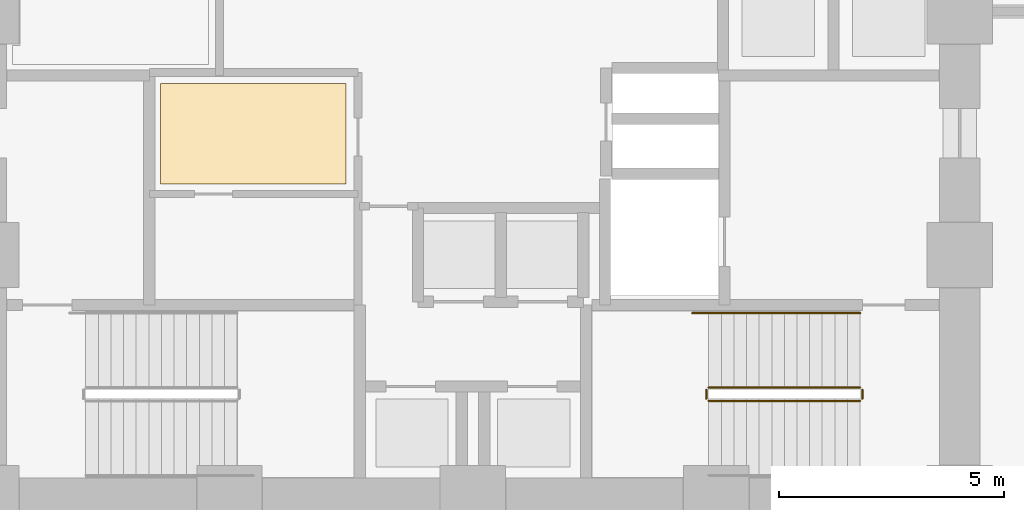
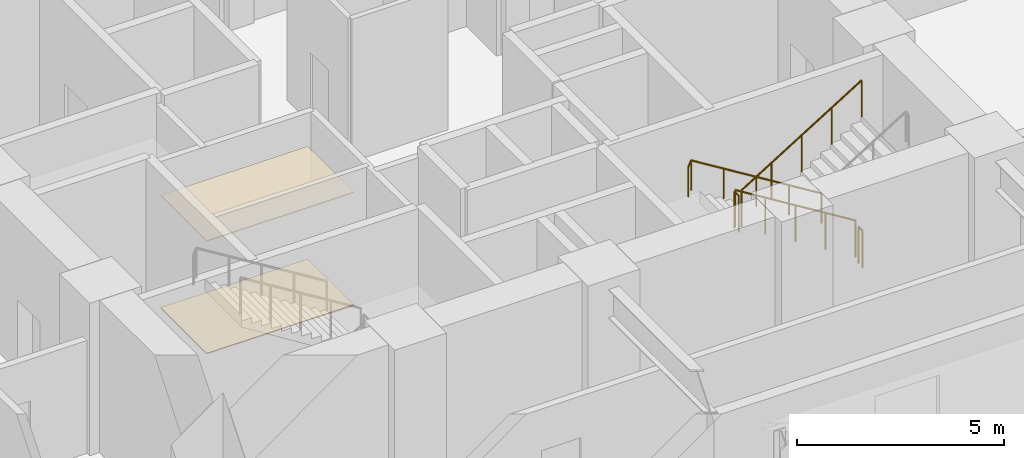
# One storey, part 25 of 29: 5 railings, 2 coverings.
"""IFC4 building model written with IfcOpenShell, lengths in metres."""

import ifcopenshell
import ifcopenshell.guid

model = None  # the IFC model being written
_history = None  # IfcOwnerHistory: only IFC2X3 demands one
_inside = {}  # id of a spatial element -> (the spatial element, [elements in it])
_under = {}  # id of a project, library or spatial element -> (it, [spatial elements below it])
_declared = {}  # id of a project -> (the project, [libraries it declares])
_typed = {}  # id of a type object -> (the type object, [elements of that type])
_made_of = {}  # id of a material, layer set ... -> (it, [elements and type objects made of it])


def new_model(schema):
    """Start an empty IFC model of exactly this schema.

    Asked for "IFC4X3", IfcOpenShell would pick the latest addendum, in which some entities
    have other attributes; the version numbers below select the first issue.
    IFC2X3 requires an IfcOwnerHistory on every rooted entity: one is made here for all.
    """
    global model, _history
    if schema == "IFC4X3":
        model = ifcopenshell.file(schema_version=(4, 3, 0, 0))
    else:
        model = ifcopenshell.file(schema=schema)
    _inside.clear()
    _under.clear()
    _declared.clear()
    _typed.clear()
    _made_of.clear()
    _history = None
    if model.schema == "IFC2X3":
        org = make("IfcOrganization", Name="unknown")
        user = make(
            "IfcPersonAndOrganization",
            ThePerson=make("IfcPerson", FamilyName="unknown"),
            TheOrganization=org,
        )
        app = make(
            "IfcApplication",
            ApplicationDeveloper=org,
            Version="unknown",
            ApplicationFullName="unknown",
            ApplicationIdentifier="unknown",
        )
        _history = make(
            "IfcOwnerHistory",
            OwningUser=user,
            OwningApplication=app,
            ChangeAction="ADDED",
            CreationDate=0,
        )
    return model


def make(cls, **values):
    """One entity of the class cls with the attributes given. An attribute that is None is left unset."""
    return model.create_entity(
        cls, **{name: value for name, value in values.items() if value is not None}
    )


def rooted(cls, **values):
    """An entity with a GlobalId (a new one), such as an element, a storey or a relation."""
    return make(cls, GlobalId=ifcopenshell.guid.new(), OwnerHistory=_history, **values)


def si_unit(unit_type, name, prefix=None):
    """IfcSIUnit, for example si_unit("LENGTHUNIT", "METRE", prefix="MILLI")."""
    return make("IfcSIUnit", UnitType=unit_type, Prefix=prefix, Name=name)


def assignment(units):
    """IfcUnitAssignment: the units of a project."""
    return None if units is None else make("IfcUnitAssignment", Units=units)


def point(xyz):
    """IfcCartesianPoint."""
    return None if xyz is None else make("IfcCartesianPoint", Coordinates=xyz)


def direction(xyz):
    """IfcDirection."""
    return None if xyz is None else make("IfcDirection", DirectionRatios=xyz)


def frame(location, z_axis=None, x_axis=None):
    """IfcAxis2Placement3D, a coordinate frame: its origin and axes. An axis left out is left unset."""
    return make(
        "IfcAxis2Placement3D",
        Location=point(location),
        Axis=direction(z_axis),
        RefDirection=direction(x_axis),
    )


def frame_2d(location, x_axis=None):
    """IfcAxis2Placement2D, a coordinate frame in the plane: its origin and x axis."""
    return make(
        "IfcAxis2Placement2D", Location=point(location), RefDirection=direction(x_axis)
    )


def origin():
    """The frame at (0, 0, 0) with its axes left unset."""
    return frame((0.0, 0.0, 0.0))


def origin_2d():
    """The frame at (0, 0) in the plane with its x axis left unset."""
    return frame_2d((0.0, 0.0))


def place(relative_to, where):
    """IfcLocalPlacement: puts the frame where relative to a parent placement (None: the world)."""
    return make(
        "IfcLocalPlacement", PlacementRelTo=relative_to, RelativePlacement=where
    )


def context(
    kind, dimensions, precision=None, world=None, true_north=None, identifier=None
):
    """IfcGeometricRepresentationContext, for example the 3D "Model" context."""
    return make(
        "IfcGeometricRepresentationContext",
        ContextIdentifier=identifier,
        ContextType=kind,
        CoordinateSpaceDimension=dimensions,
        Precision=precision,
        WorldCoordinateSystem=world,
        TrueNorth=true_north,
    )


def subcontext(parent, identifier, kind, view, scale=None):
    """IfcGeometricRepresentationSubContext, for example "Body" below "Model"."""
    return make(
        "IfcGeometricRepresentationSubContext",
        ContextIdentifier=identifier,
        ContextType=kind,
        ParentContext=parent,
        TargetScale=scale,
        TargetView=view,
    )


def project(units=None, contexts=None):
    """IfcProject with its units and contexts."""
    return rooted(
        "IfcProject",
        Name="project",
        RepresentationContexts=contexts,
        UnitsInContext=assignment(units),
    )


def spatial(cls, under=None, at=None, **own):
    """A site, building, storey or space (cls), placed at a placement, below another one or the project."""
    s = rooted(cls, ObjectPlacement=at, **own)
    if under is not None:
        _under.setdefault(under.id(), (under, []))[1].append(s)
    return s


def polyline(points):
    """IfcPolyline through the points."""
    return make("IfcPolyline", Points=[point(p) for p in points])


def profile(cls, at=None, kind="AREA", **sizes):
    """A parametric profile (cls). Its sizes go by their IFC names, for example OverallWidth=200.0."""
    return make(cls, ProfileType=kind, Position=at, **sizes)


def circle(**sizes):
    """IfcCircleProfileDef."""
    return profile("IfcCircleProfileDef", **sizes)


def outline(outer, holes=None, kind="AREA"):
    """IfcArbitraryClosedProfileDef: a profile drawn as a closed curve; with holes, ...WithVoids."""
    if holes is None:
        return make("IfcArbitraryClosedProfileDef", ProfileType=kind, OuterCurve=outer)
    return make(
        "IfcArbitraryProfileDefWithVoids",
        ProfileType=kind,
        OuterCurve=outer,
        InnerCurves=holes,
    )


def extrude(swept, where, along, depth):
    """IfcExtrudedAreaSolid: the profile swept, set in the frame where, extruded along a direction by depth."""
    return make(
        "IfcExtrudedAreaSolid",
        SweptArea=swept,
        Position=where,
        ExtrudedDirection=direction(along),
        Depth=depth,
    )


def shape(context_of_items, identifier, shape_type, items):
    """IfcShapeRepresentation: the items that make up one representation, for example the "Body"."""
    return make(
        "IfcShapeRepresentation",
        ContextOfItems=context_of_items,
        RepresentationIdentifier=identifier,
        RepresentationType=shape_type,
        Items=items,
    )


def material(Name=None, Category=None):
    """IfcMaterial."""
    return make("IfcMaterial", Name=Name, Category=Category)


def layer(
    of_material, thickness, ventilated=None, Name=None, Category=None, Priority=None
):
    """IfcMaterialLayer: one layer of a wall or slab, of a material (None: an air gap)."""
    return make(
        "IfcMaterialLayer",
        Material=of_material,
        LayerThickness=thickness,
        IsVentilated=ventilated,
        Name=Name,
        Category=Category,
        Priority=Priority,
    )


def layer_set(layers, Name=None):
    """IfcMaterialLayerSet."""
    return make("IfcMaterialLayerSet", MaterialLayers=layers, LayerSetName=Name)


def made_of(thing, what):
    """Note that an element or type object is made of a material, layer set ...; save() writes the relation."""
    if what is not None:
        _made_of.setdefault(what.id(), (what, []))[1].append(thing)
    return thing


def type_object(cls, material=None, **own):
    """A type object (cls), such as IfcWallType, which elements share."""
    return made_of(rooted(cls, **own), material)


def element(
    cls,
    number,
    at=None,
    inside=None,
    cuts=None,
    type_object=None,
    material=None,
    context=None,
    identifier="Body",
    shape_type=None,
    held_by="IfcProductDefinitionShape",
    body=None,
    shapes=None,
    **own,
):
    """One element of the class cls, such as IfcWall. Its Tag is "e" and its number.

    at: its placement. inside: the storey or other place that contains it. cuts: it is an
    opening in that element (IfcRelVoidsElement). A single representation is given by context,
    identifier, shape_type and body (its items); several are given by shapes. held_by: the class
    of the entity that holds the representations. save() writes the other relations.
    """
    e = rooted(cls, Tag="e%d" % number, ObjectPlacement=at, **own)
    if body is not None:
        shapes = [shape(context, identifier, shape_type, body)]
    if shapes is not None:
        e.Representation = make(held_by, Representations=shapes)
    if inside is not None:
        _inside.setdefault(inside.id(), (inside, []))[1].append(e)
    if cuts is not None:
        rooted(
            "IfcRelVoidsElement", RelatingBuildingElement=cuts, RelatedOpeningElement=e
        )
    if type_object is not None:
        _typed.setdefault(type_object.id(), (type_object, []))[1].append(e)
    return made_of(e, material)


def aggregate(whole, parts):
    """IfcRelAggregates: a whole, such as a stair, and the parts it consists of."""
    return rooted("IfcRelAggregates", RelatingObject=whole, RelatedObjects=parts)


def save(model, path):
    """Write the relations noted so far, then the file.

    IfcRelAggregates (storeys below a building ...), IfcRelContainedInSpatialStructure (elements
    in a storey), IfcRelDefinesByType, IfcRelAssociatesMaterial and IfcRelDeclares: one each for
    every whole, place, type object, material and project.
    """
    for whole, parts in _under.values():
        aggregate(whole, parts)
    for where, things in _inside.values():
        rooted(
            "IfcRelContainedInSpatialStructure",
            RelatedElements=things,
            RelatingStructure=where,
        )
    for kind, things in _typed.values():
        rooted("IfcRelDefinesByType", RelatedObjects=things, RelatingType=kind)
    for what, things in _made_of.values():
        rooted("IfcRelAssociatesMaterial", RelatedObjects=things, RelatingMaterial=what)
    for by, libraries in _declared.values():
        rooted("IfcRelDeclares", RelatingContext=by, RelatedDefinitions=libraries)
    model.write(path)


model = new_model("IFC4")

# Units and contexts
model_context = context("Model", 3, precision=1e-05, world=origin(), true_north=direction((0.0, 1.0)))
body_context = subcontext(model_context, "Body", "Model", "MODEL_VIEW")
ifc_project = project(units=[si_unit("LENGTHUNIT", "METRE"), si_unit("AREAUNIT", "SQUARE_METRE"), si_unit("VOLUMEUNIT", "CUBIC_METRE"), si_unit("PLANEANGLEUNIT", "RADIAN"), si_unit("MASSUNIT", "GRAM", prefix="KILO")], contexts=[model_context])

# Site, building, storey
site_placement = place(None, origin())
site = spatial("IfcSite", under=ifc_project, at=site_placement, CompositionType="ELEMENT")
building_placement = place(site_placement, origin())
building = spatial("IfcBuilding", under=site, at=building_placement, Name="Surkhivell Harbour Commons", CompositionType="ELEMENT")
storey_placement = place(building_placement, origin())
storey = spatial("IfcBuildingStorey", under=building, at=storey_placement, Name="L00", CompositionType="ELEMENT", Elevation=0.0)

# Coverings
ifc_material_1 = material(Name="Moisture-resistant gypsum acoustic ceiling board", Category="other")
ifc_layer_1 = layer(ifc_material_1, 0.030029296875)
ifc_layer_set_1 = layer_set([ifc_layer_1], Name="Moisture-resistant gypsum acoustic ceiling board")
covering_type_1 = type_object("IfcCoveringType", Name="COV-CEIL-GYP", PredefinedType="CEILING", material=ifc_layer_set_1)
covering_1_placement = place(storey_placement, frame((0.0, 0.0, 3.319091796875)))
element("IfcCovering", 1, at=covering_1_placement, inside=storey, type_object=covering_type_1, Name="L00 Suspended Acoustic Ceiling 2", PredefinedType="CEILING", context=body_context, shape_type="SweptSolid", body=[
    extrude(outline(polyline([(-6.929931640625, -3.830078125), (-2.820068359375, -3.830078125), (-2.820068359375, -1.60009765625), (-6.929931640625, -1.60009765625), (-6.929931640625, -3.830078125)])), origin(), (0.0, 0.0, 1.0), 0.030029296875),
])
ifc_material_2 = material(Name="Honed terrazzo and porcelain floor finish", Category="masonry")
ifc_layer_2 = layer(ifc_material_2, 0.02490234375)
ifc_layer_set_2 = layer_set([ifc_layer_2], Name="Honed terrazzo and porcelain floor finish")
covering_type_2 = type_object("IfcCoveringType", Name="COV-FLR-TER", PredefinedType="FLOORING", material=ifc_layer_set_2)
covering_2_placement = place(storey_placement, origin())
element("IfcCovering", 2, at=covering_2_placement, inside=storey, type_object=covering_type_2, Name="L00 Interior Floor Finish 2", PredefinedType="FLOORING", context=body_context, shape_type="SweptSolid", body=[
    extrude(outline(polyline([(-6.929931640625, -3.830078125), (-2.820068359375, -3.830078125), (-2.820068359375, -1.60009765625), (-6.929931640625, -1.60009765625), (-6.929931640625, -3.830078125)])), origin(), (0.0, 0.0, 1.0), 0.02490234375),
])

# Railings
ifc_material_3 = material(Name="Galvanised and painted steel S355 guard rail", Category="steel")
railing_type_1 = type_object("IfcRailingType", Name="RAL-ST-GRD1100", PredefinedType="GUARDRAIL", material=ifc_material_3)
railing_1_placement = place(storey_placement, frame((8.590087890625, -8.340087890625, 0.173095703125)))
element("IfcRailing", 3, at=railing_1_placement, inside=storey, type_object=railing_type_1, Name="L00 ST2 stair guard 1", PredefinedType="GUARDRAIL", context=body_context, shape_type="SweptSolid", body=[
    extrude(circle(Radius=0.02392578125, at=origin_2d()), frame((0.0, 0.0, 1.076171875), z_axis=(-0.850623216509, 0.0, 0.525775754039), x_axis=(0.0, -1.0, 0.0)), (0.0, 0.0, 1.0), 3.9501953125),
    extrude(circle(Radius=0.02099609375, at=origin_2d()), origin(), (0.0, 0.0, 1.0), 1.052001953125),
    extrude(circle(Radius=0.02099609375, at=origin_2d()), frame((-0.840087890625, 0.0, 0.519287109375)), (0.0, 0.0, 1.0), 1.052001953125),
    extrude(circle(Radius=0.02099609375, at=origin_2d()), frame((-1.68017578125, 0.0, 1.03857421875)), (0.0, 0.0, 1.0), 1.052001953125),
    extrude(circle(Radius=0.02099609375, at=origin_2d()), frame((-2.52001953125, 0.0, 1.5576171875)), (0.0, 0.0, 1.0), 1.052001953125),
    extrude(circle(Radius=0.02099609375, at=origin_2d()), frame((-3.360107421875, 0.0, 2.076904296875)), (0.0, 0.0, 1.0), 1.052001953125),
])
railing_2_placement = place(storey_placement, frame((5.179931640625, -8.389892578125, 2.25)))
element("IfcRailing", 4, at=railing_2_placement, inside=storey, type_object=railing_type_1, Name="L00 ST2 stair guard 2", PredefinedType="GUARDRAIL", context=body_context, shape_type="SweptSolid", body=[
    extrude(circle(Radius=0.02392578125, at=origin_2d()), frame((0.0, 0.0, 1.076171875), z_axis=(0.0, -1.0, 0.0), x_axis=(1.0, 0.0, 0.0)), (0.0, 0.0, 1.0), 0.2001953125),
    extrude(circle(Radius=0.02099609375, at=origin_2d()), origin(), (0.0, 0.0, 1.0), 1.052001953125),
    extrude(circle(Radius=0.02099609375, at=origin_2d()), frame((0.0, -0.2001953125, 0.0)), (0.0, 0.0, 1.0), 1.052001953125),
])
railing_3_placement = place(storey_placement, frame((5.22998046875, -8.639892578125, 2.423095703125)))
element("IfcRailing", 5, at=railing_3_placement, inside=storey, type_object=railing_type_1, Name="L00 ST2 stair guard 3", PredefinedType="GUARDRAIL", context=body_context, shape_type="SweptSolid", body=[
    extrude(circle(Radius=0.02392578125, at=origin_2d()), frame((0.0, 0.0, 1.076171875), z_axis=(0.850623216509, 0.0, 0.525775754039), x_axis=(0.0, 1.0, 0.0)), (0.0, 0.0, 1.0), 3.9501953125),
    extrude(circle(Radius=0.02099609375, at=origin_2d()), origin(), (0.0, 0.0, 1.0), 1.052001953125),
    extrude(circle(Radius=0.02099609375, at=origin_2d()), frame((0.840087890625, 0.0, 0.519287109375)), (0.0, 0.0, 1.0), 1.052001953125),
    extrude(circle(Radius=0.02099609375, at=origin_2d()), frame((1.68017578125, 0.0, 1.03857421875)), (0.0, 0.0, 1.0), 1.052001953125),
    extrude(circle(Radius=0.02099609375, at=origin_2d()), frame((2.52001953125, 0.0, 1.5576171875)), (0.0, 0.0, 1.0), 1.052001953125),
    extrude(circle(Radius=0.02099609375, at=origin_2d()), frame((3.360107421875, 0.0, 2.076904296875)), (0.0, 0.0, 1.0), 1.052001953125),
])
railing_4_placement = place(storey_placement, frame((8.639892578125, -8.389892578125, 0.0)))
element("IfcRailing", 6, at=railing_4_placement, inside=storey, type_object=railing_type_1, Name="L00 ST2 stair guard 4", PredefinedType="GUARDRAIL", context=body_context, shape_type="SweptSolid", body=[
    extrude(circle(Radius=0.02392578125, at=origin_2d()), frame((0.0, 0.0, 1.076171875), z_axis=(0.0, -1.0, 0.0), x_axis=(1.0, 0.0, 0.0)), (0.0, 0.0, 1.0), 0.2001953125),
    extrude(circle(Radius=0.02099609375, at=origin_2d()), origin(), (0.0, 0.0, 1.0), 1.052001953125),
    extrude(circle(Radius=0.02099609375, at=origin_2d()), frame((0.0, -0.2001953125, 0.0)), (0.0, 0.0, 1.0), 1.052001953125),
])
ifc_material_4 = material(Name="Brushed stainless steel S355 handrail", Category="steel")
railing_type_2 = type_object("IfcRailingType", Name="RAL-ST-HND900", PredefinedType="HANDRAIL", material=ifc_material_4)
railing_5_placement = place(storey_placement, frame((8.590087890625, -6.68994140625, 0.173095703125)))
element("IfcRailing", 7, at=railing_5_placement, inside=storey, type_object=railing_type_2, Name="L00 ST2 stair handrail 1", PredefinedType="HANDRAIL", context=body_context, shape_type="SweptSolid", body=[
    extrude(circle(Radius=0.02392578125, at=origin_2d()), frame((0.0, 0.0, 0.8759765625), z_axis=(-0.850622404505, 0.0, 0.525777067734), x_axis=(0.0, -1.0, 0.0)), (0.0, 0.0, 1.0), 4.279296875),
    extrude(circle(Radius=0.02392578125, at=origin_2d()), frame((-3.64013671875, 0.0, 3.1259765625), z_axis=(-0.418814502111, 0.0, -0.908071810388), x_axis=(0.0, -1.0, 0.0)), (0.0, 0.0, 1.0), 0.190673828125),
    extrude(circle(Radius=0.02099609375, at=origin_2d()), origin(), (0.0, 0.0, 1.0), 0.851806640625),
    extrude(circle(Radius=0.02099609375, at=origin_2d()), frame((-0.91015625, 0.0, 0.5625)), (0.0, 0.0, 1.0), 0.851806640625),
    extrude(circle(Radius=0.02099609375, at=origin_2d()), frame((-1.820068359375, 0.0, 1.125)), (0.0, 0.0, 1.0), 0.851806640625),
    extrude(circle(Radius=0.02099609375, at=origin_2d()), frame((-2.72998046875, 0.0, 1.6875)), (0.0, 0.0, 1.0), 0.851806640625),
    extrude(circle(Radius=0.02099609375, at=origin_2d()), frame((-3.64013671875, 0.0, 2.25)), (0.0, 0.0, 1.0), 0.851806640625),
    extrude(circle(Radius=0.02099609375, at=origin_2d()), frame((-3.719970703125, 0.0, 2.076904296875)), (0.0, 0.0, 1.0), 0.851806640625),
])

save(model, "model.ifc")
